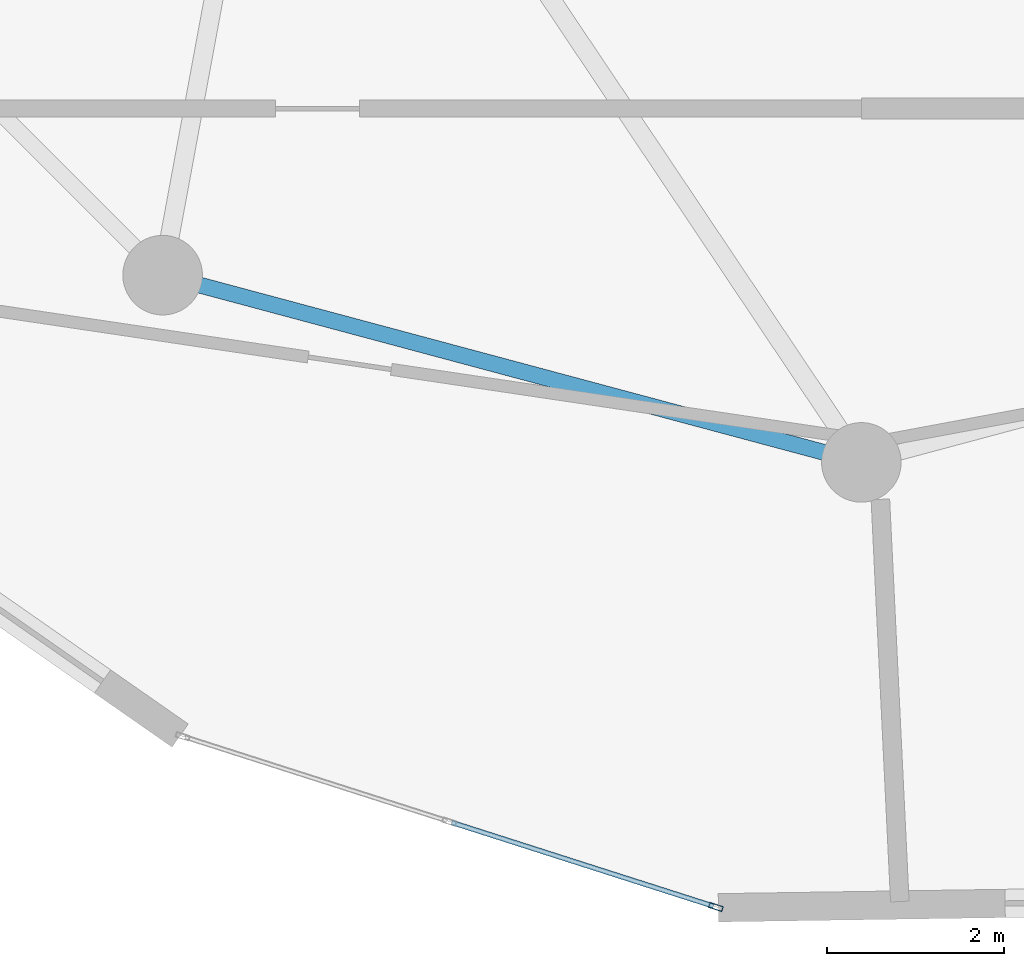
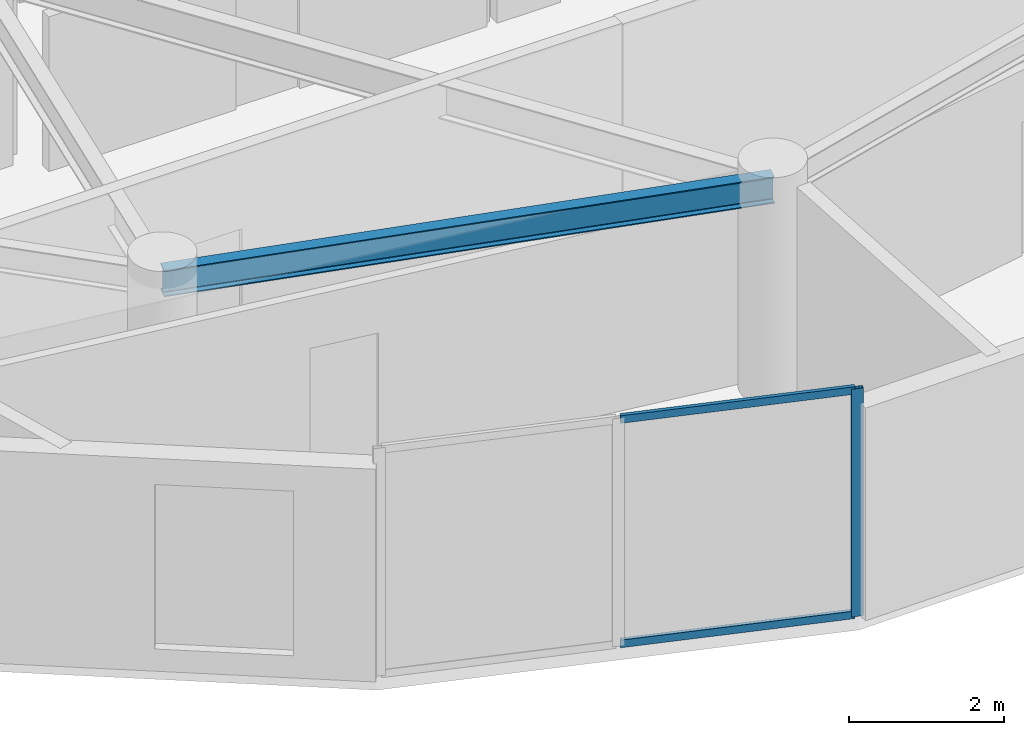
# One storey, part 3 of 18: 3 members, 1 beam, 1 element without a shape of its own.
"""IFC4 building model written with IfcOpenShell, lengths in metres."""

from ifc_helpers import new_model, si_unit, direction, frame, origin, origin_2d, place, context, subcontext, project, spatial, hollow_rectangle, i_section, extrude, source, transform, mapped, material, layer, layer_set, material_profile, profile_set, type_object, element, aggregate, save


model = new_model("IFC4")

# Units and contexts
model_context = context("Model", 3, precision=1e-05, world=origin(), true_north=direction((0.0, 1.0)))
body_context = subcontext(model_context, "Body", "Model", "MODEL_VIEW")
ifc_project = project(units=[si_unit("LENGTHUNIT", "METRE"), si_unit("AREAUNIT", "SQUARE_METRE"), si_unit("VOLUMEUNIT", "CUBIC_METRE"), si_unit("PLANEANGLEUNIT", "RADIAN"), si_unit("MASSUNIT", "GRAM", prefix="KILO")], contexts=[model_context])

# Site, building, storey
site_placement = place(None, origin())
site = spatial("IfcSite", under=ifc_project, at=site_placement, CompositionType="ELEMENT")
building_placement = place(site_placement, origin())
building = spatial("IfcBuilding", under=site, at=building_placement, Name="Solvirekh Grand Hotel", CompositionType="ELEMENT")
storey_placement = place(building_placement, frame((0.0, 0.0, 187.60009765625)))
storey = spatial("IfcBuildingStorey", under=building, at=storey_placement, Name="L48", CompositionType="ELEMENT", Elevation=187.60009765625)

# Beam
ifc_material_1 = material(Name="Steel S355", Category="steel")
ifc_material_profile_1 = material_profile(ifc_material_1, i_section(OverallWidth=0.180908203125, OverallDepth=0.4169921875, WebThickness=0.010009765625, FlangeThickness=0.01611328125, FilletRadius=0.011962890625, at=origin_2d()), Name="W410X85")
ifc_profile_set_1 = profile_set([ifc_material_profile_1], Name="Steel S355")
beam_type = type_object("IfcBeamType", Name="Spandrel_Ring_W410", PredefinedType="SPANDREL", material=ifc_profile_set_1)
beam_placement = place(storey_placement, frame((-7.89990234375, -13.68310546875, 3.15185546875), z_axis=(0.965920601923, -0.258838541915, 0.0), x_axis=(0.258838541915, 0.965920601923, 0.0)))
element("IfcBeam", 1, at=beam_placement, inside=storey, type_object=beam_type, Name="L48 perimeter spandrel beam 9", PredefinedType="SPANDREL", context=body_context, shape_type="SweptSolid", body=[
    extrude(i_section(OverallWidth=0.180908203125, OverallDepth=0.4169921875, WebThickness=0.010009765625, FlangeThickness=0.01611328125, FilletRadius=0.011962890625, at=origin_2d()), origin(), (0.0, 0.0, 1.0), 8.1787109375),
])

# Curtain wall, members
ifc_material_2 = material(Name="Anodized Bronze Aluminium 6063-T6", Category="aluminium")
ifc_layer = layer(ifc_material_2, 0.159912109375)
ifc_layer_set = layer_set([ifc_layer], Name="Anodized Bronze Aluminium 6063-T6")
curtain_wall_type = type_object("IfcCurtainWallType", Name="CW_Sys4_HighZoneFlushBronzeCW", PredefinedType="NOTDEFINED", material=ifc_layer_set)
curtain_wall_placement = place(storey_placement, origin())
curtain_wall = element("IfcCurtainWall", 2, at=curtain_wall_placement, inside=storey, type_object=curtain_wall_type, Name="L48 unitised bronze-glass curtain wall CW-L48-C18", PredefinedType="NOTDEFINED")
ifc_material_profile_2 = material_profile(ifc_material_2, hollow_rectangle(XDim=0.06005859375, YDim=0.159912109375, WallThickness=0.0048828125, at=origin_2d()), Name="ALU RHS 160X60X5")
ifc_profile_set_2 = profile_set([ifc_material_profile_2], Name="Anodized Bronze Aluminium 6063-T6")
member_type_1 = type_object("IfcMemberType", Name="CWMullion_Sys4", PredefinedType="MULLION", material=ifc_profile_set_2)
shared_shape_1 = source(origin(), body_context, "Body", "SweptSolid", [
    extrude(hollow_rectangle(XDim=0.06005859375, YDim=0.159912109375, WallThickness=0.0048828125, at=origin_2d()), origin(), (0.0, 0.0, 1.0), 3.599853515625),
])
member_1_placement = place(storey_placement, frame((-1.64453125, -20.826904296875, 0.0), z_axis=(0.0, 0.0, 1.0), x_axis=(0.3047019063, 0.952447766703, 0.0)))
member_1 = element("IfcMember", 3, at=member_1_placement, type_object=member_type_1, Name="U04 mullion 3", PredefinedType="MULLION", context=body_context, shape_type="MappedRepresentation", body=[
    mapped(shared_shape_1, transform((0.0, 0.0, 0.0), x_axis=(1.0, 0.0, 0.0), y_axis=(0.0, 1.0, 0.0), z_axis=(0.0, 0.0, 1.0), scale=1.0)),
])
ifc_material_profile_3 = material_profile(ifc_material_2, hollow_rectangle(XDim=0.054931640625, YDim=0.1201171875, WallThickness=0.00390625, at=origin_2d()), Name="ALU RHS 120X55X4")
ifc_profile_set_3 = profile_set([ifc_material_profile_3], Name="Anodized Bronze Aluminium 6063-T6")
member_type_2 = type_object("IfcMemberType", Name="CWTransom_Sys4", PredefinedType="USERDEFINED", material=ifc_profile_set_3)
shared_shape_2 = source(origin(), body_context, "Body", "SweptSolid", [
    extrude(hollow_rectangle(XDim=0.054931640625, YDim=0.1201171875, WallThickness=0.00390625, at=origin_2d()), origin(), (0.0, 0.0, 1.0), 3.10498046875),
])
member_2_placement = place(storey_placement, frame((-4.63037109375, -19.87158203125, 0.02734375), z_axis=(0.952450620041, -0.304692987093, 0.0), x_axis=(0.304692987093, 0.952450620041, 0.0)))
member_2 = element("IfcMember", 4, at=member_2_placement, type_object=member_type_2, Name="U04 transom 2.1", ObjectType="TRANSOM", PredefinedType="USERDEFINED", context=body_context, shape_type="MappedRepresentation", body=[
    mapped(shared_shape_2, transform((0.0, 0.0, 0.0), x_axis=(1.0, 0.0, 0.0), y_axis=(0.0, 1.0, 0.0), z_axis=(0.0, 0.0, 1.0), scale=1.0)),
])
member_3_placement = place(storey_placement, frame((-4.63037109375, -19.87158203125, 3.572509765625), z_axis=(0.952450620041, -0.304692987093, 0.0), x_axis=(0.304692987093, 0.952450620041, 0.0)))
member_3 = element("IfcMember", 5, at=member_3_placement, type_object=member_type_2, Name="U04 transom 2.2", ObjectType="TRANSOM", PredefinedType="USERDEFINED", context=body_context, shape_type="MappedRepresentation", body=[
    mapped(shared_shape_2, transform((0.0, 0.0, 0.0), x_axis=(1.0, 0.0, 0.0), y_axis=(0.0, 1.0, 0.0), z_axis=(0.0, 0.0, 1.0), scale=1.0)),
])
aggregate(curtain_wall, [member_1, member_2, member_3])

save(model, "model.ifc")
